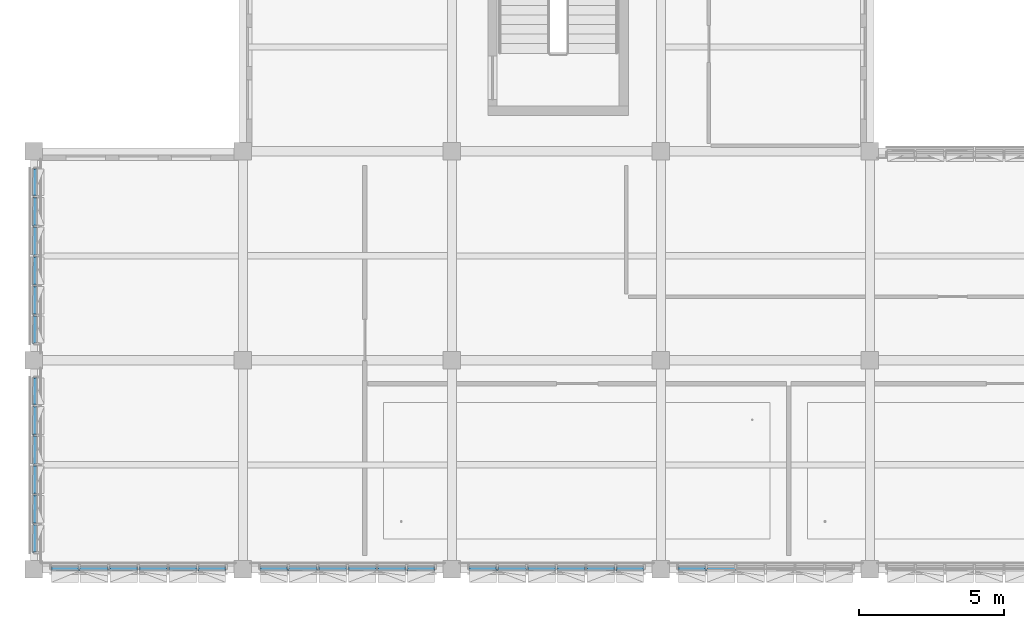
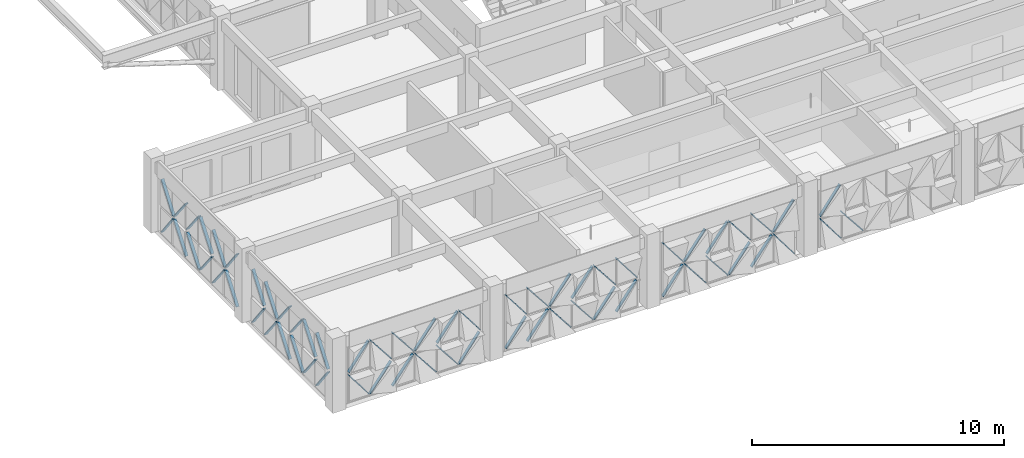
# One storey, part 56 of 99: 63 discrete accessories.
"""IFC4 building model written with IfcOpenShell, lengths in metres."""

from ifc_helpers import new_model, si_unit, direction, frame, origin, origin_2d, place, context, subcontext, project, spatial, rectangle, extrude, material, type_object, element, save


model = new_model("IFC4")

# Units and contexts
model_context = context("Model", 3, precision=1e-05, world=origin(), true_north=direction((0.0, 1.0)))
body_context = subcontext(model_context, "Body", "Model", "MODEL_VIEW")
ifc_project = project(units=[si_unit("LENGTHUNIT", "METRE"), si_unit("AREAUNIT", "SQUARE_METRE"), si_unit("VOLUMEUNIT", "CUBIC_METRE"), si_unit("PLANEANGLEUNIT", "RADIAN"), si_unit("MASSUNIT", "GRAM", prefix="KILO")], contexts=[model_context])

# Site, building, storey
site_placement = place(None, origin())
site = spatial("IfcSite", under=ifc_project, at=site_placement, CompositionType="ELEMENT")
building_placement = place(site_placement, origin())
building = spatial("IfcBuilding", under=site, at=building_placement, Name="Alvorim Cloister Faculty of Sciences", CompositionType="ELEMENT")
storey_placement = place(building_placement, frame((0.0, 0.0, 12.14990234375)))
storey = spatial("IfcBuildingStorey", under=building, at=storey_placement, Name="L03", CompositionType="ELEMENT", Elevation=12.14990234375)

# Discrete accessories
ifc_material = material(Name="Aluminium Alloy 6063-T6", Category="aluminium")
discrete_accessory_type = type_object("IfcDiscreteAccessoryType", Name="ACC-DIAG-BAR", PredefinedType="BRACKET", material=ifc_material)
discrete_accessory_1_placement = place(storey_placement, frame((22.205078125, 0.0224609375, 1.35498046875), z_axis=(0.604688699088, 0.006562264866, -0.796434877359), x_axis=(-0.010851663811, 0.999941118963, 0.0)))
element("IfcDiscreteAccessory", 1, at=discrete_accessory_1_placement, inside=storey, type_object=discrete_accessory_type, Name="Diagonal Cassette Glazing Bracket ACC-01623", PredefinedType="BRACKET", context=body_context, shape_type="SweptSolid", body=[
    extrude(rectangle(XDim=0.139892578125, YDim=0.044921875, at=origin_2d()), origin(), (0.0, 0.0, 1.0), 1.525390625),
])
discrete_accessory_2_placement = place(storey_placement, frame((22.205078125, 0.0224609375, 1.4951171875), z_axis=(0.604611624251, 0.006561428426, 0.796493397008), x_axis=(-0.010851663811, 0.999941118963, 0.0)))
element("IfcDiscreteAccessory", 2, at=discrete_accessory_2_placement, inside=storey, type_object=discrete_accessory_type, Name="Diagonal Cassette Glazing Bracket ACC-01624", PredefinedType="BRACKET", context=body_context, shape_type="SweptSolid", body=[
    extrude(rectangle(XDim=0.139892578125, YDim=0.044921875, at=origin_2d()), origin(), (0.0, 0.0, 1.0), 1.525634765625),
])
discrete_accessory_3_placement = place(storey_placement, frame((23.1923828125, 0.0224609375, 1.35498046875), z_axis=(0.618031836495, 0.00647732753, -0.786126385072), x_axis=(-0.010479997039, 0.999945083323, 0.0)))
element("IfcDiscreteAccessory", 3, at=discrete_accessory_3_placement, inside=storey, type_object=discrete_accessory_type, Name="Diagonal Cassette Glazing Bracket ACC-01625", PredefinedType="BRACKET", context=body_context, shape_type="SweptSolid", body=[
    extrude(rectangle(XDim=0.139892578125, YDim=0.044921875, at=origin_2d()), origin(), (0.0, 0.0, 1.0), 1.54541015625),
])
discrete_accessory_4_placement = place(storey_placement, frame((15.0048828125, 0.0224609375, 0.14013671875), z_axis=(0.604790215644, 0.006561629754, 0.796357796519), x_axis=(-0.010848792579, 0.999941150118, 0.0)))
element("IfcDiscreteAccessory", 4, at=discrete_accessory_4_placement, inside=storey, type_object=discrete_accessory_type, Name="Diagonal Cassette Glazing Bracket ACC-01636", PredefinedType="BRACKET", context=body_context, shape_type="SweptSolid", body=[
    extrude(rectangle(XDim=0.139892578125, YDim=0.044921875, at=origin_2d()), origin(), (0.0, 0.0, 1.0), 1.525390625),
])
discrete_accessory_5_placement = place(storey_placement, frame((15.0048828125, 0.0224609375, 2.710205078125), z_axis=(0.604713142785, 0.006560793558, -0.796416330151), x_axis=(-0.010848792579, 0.999941150118, 0.0)))
element("IfcDiscreteAccessory", 5, at=discrete_accessory_5_placement, inside=storey, type_object=discrete_accessory_type, Name="Diagonal Cassette Glazing Bracket ACC-01637", PredefinedType="BRACKET", context=body_context, shape_type="SweptSolid", body=[
    extrude(rectangle(XDim=0.139892578125, YDim=0.044921875, at=origin_2d()), origin(), (0.0, 0.0, 1.0), 1.525634765625),
])
discrete_accessory_6_placement = place(storey_placement, frame((15.992431640625, 0.0224609375, 1.35498046875), z_axis=(0.618031836495, 0.00647732753, -0.786126385072), x_axis=(-0.010479997039, 0.999945083323, 0.0)))
element("IfcDiscreteAccessory", 6, at=discrete_accessory_6_placement, inside=storey, type_object=discrete_accessory_type, Name="Diagonal Cassette Glazing Bracket ACC-01638", PredefinedType="BRACKET", context=body_context, shape_type="SweptSolid", body=[
    extrude(rectangle(XDim=0.139892578125, YDim=0.044921875, at=origin_2d()), origin(), (0.0, 0.0, 1.0), 1.54541015625),
])
discrete_accessory_7_placement = place(storey_placement, frame((15.992431640625, 0.0224609375, 1.4951171875), z_axis=(0.617955086572, 0.006476523147, 0.786186724404), x_axis=(-0.010479997039, 0.999945083323, 0.0)))
element("IfcDiscreteAccessory", 7, at=discrete_accessory_7_placement, inside=storey, type_object=discrete_accessory_type, Name="Diagonal Cassette Glazing Bracket ACC-01639", PredefinedType="BRACKET", context=body_context, shape_type="SweptSolid", body=[
    extrude(rectangle(XDim=0.139892578125, YDim=0.044921875, at=origin_2d()), origin(), (0.0, 0.0, 1.0), 1.545654296875),
])
discrete_accessory_8_placement = place(storey_placement, frame((17.012451171875, 0.0224609375, 1.35498046875), z_axis=(0.618031836495, 0.00647732753, -0.786126385072), x_axis=(-0.010479997039, 0.999945083323, 0.0)))
element("IfcDiscreteAccessory", 8, at=discrete_accessory_8_placement, inside=storey, type_object=discrete_accessory_type, Name="Diagonal Cassette Glazing Bracket ACC-01640", PredefinedType="BRACKET", context=body_context, shape_type="SweptSolid", body=[
    extrude(rectangle(XDim=0.139892578125, YDim=0.044921875, at=origin_2d()), origin(), (0.0, 0.0, 1.0), 1.54541015625),
])
discrete_accessory_9_placement = place(storey_placement, frame((17.012451171875, 0.0224609375, 1.4951171875), z_axis=(0.617955086572, 0.006476523147, 0.786186724404), x_axis=(-0.010479997039, 0.999945083323, 0.0)))
element("IfcDiscreteAccessory", 9, at=discrete_accessory_9_placement, inside=storey, type_object=discrete_accessory_type, Name="Diagonal Cassette Glazing Bracket ACC-01641", PredefinedType="BRACKET", context=body_context, shape_type="SweptSolid", body=[
    extrude(rectangle(XDim=0.139892578125, YDim=0.044921875, at=origin_2d()), origin(), (0.0, 0.0, 1.0), 1.545654296875),
])
discrete_accessory_10_placement = place(storey_placement, frame((18.032470703125, 0.0224609375, 0.14013671875), z_axis=(0.618031836495, 0.00647732753, 0.786126385072), x_axis=(-0.010479997039, 0.999945083323, 0.0)))
element("IfcDiscreteAccessory", 10, at=discrete_accessory_10_placement, inside=storey, type_object=discrete_accessory_type, Name="Diagonal Cassette Glazing Bracket ACC-01642", PredefinedType="BRACKET", context=body_context, shape_type="SweptSolid", body=[
    extrude(rectangle(XDim=0.139892578125, YDim=0.044921875, at=origin_2d()), origin(), (0.0, 0.0, 1.0), 1.54541015625),
])
discrete_accessory_11_placement = place(storey_placement, frame((18.032470703125, 0.0224609375, 2.710205078125), z_axis=(0.617955086572, 0.006476523147, -0.786186724404), x_axis=(-0.010479997039, 0.999945083323, 0.0)))
element("IfcDiscreteAccessory", 11, at=discrete_accessory_11_placement, inside=storey, type_object=discrete_accessory_type, Name="Diagonal Cassette Glazing Bracket ACC-01643", PredefinedType="BRACKET", context=body_context, shape_type="SweptSolid", body=[
    extrude(rectangle(XDim=0.139892578125, YDim=0.044921875, at=origin_2d()), origin(), (0.0, 0.0, 1.0), 1.545654296875),
])
discrete_accessory_12_placement = place(storey_placement, frame((19.052490234375, 0.0224609375, 0.14013671875), z_axis=(0.618031836495, 0.00647732753, 0.786126385072), x_axis=(-0.010479997039, 0.999945083323, 0.0)))
element("IfcDiscreteAccessory", 12, at=discrete_accessory_12_placement, inside=storey, type_object=discrete_accessory_type, Name="Diagonal Cassette Glazing Bracket ACC-01644", PredefinedType="BRACKET", context=body_context, shape_type="SweptSolid", body=[
    extrude(rectangle(XDim=0.139892578125, YDim=0.044921875, at=origin_2d()), origin(), (0.0, 0.0, 1.0), 1.54541015625),
])
discrete_accessory_13_placement = place(storey_placement, frame((19.052490234375, 0.0224609375, 2.710205078125), z_axis=(0.617955086572, 0.006476523147, -0.786186724404), x_axis=(-0.010479997039, 0.999945083323, 0.0)))
element("IfcDiscreteAccessory", 13, at=discrete_accessory_13_placement, inside=storey, type_object=discrete_accessory_type, Name="Diagonal Cassette Glazing Bracket ACC-01645", PredefinedType="BRACKET", context=body_context, shape_type="SweptSolid", body=[
    extrude(rectangle(XDim=0.139892578125, YDim=0.044921875, at=origin_2d()), origin(), (0.0, 0.0, 1.0), 1.545654296875),
])
discrete_accessory_14_placement = place(storey_placement, frame((20.072509765625, 0.0224609375, 1.35498046875), z_axis=(0.604790215644, 0.006561629754, -0.796357796519), x_axis=(-0.010848792579, 0.999941150118, 0.0)))
element("IfcDiscreteAccessory", 14, at=discrete_accessory_14_placement, inside=storey, type_object=discrete_accessory_type, Name="Diagonal Cassette Glazing Bracket ACC-01646", PredefinedType="BRACKET", context=body_context, shape_type="SweptSolid", body=[
    extrude(rectangle(XDim=0.139892578125, YDim=0.044921875, at=origin_2d()), origin(), (0.0, 0.0, 1.0), 1.525390625),
])
discrete_accessory_15_placement = place(storey_placement, frame((20.072509765625, 0.0224609375, 1.4951171875), z_axis=(0.604713142785, 0.006560793558, 0.796416330151), x_axis=(-0.010848792579, 0.999941150118, 0.0)))
element("IfcDiscreteAccessory", 15, at=discrete_accessory_15_placement, inside=storey, type_object=discrete_accessory_type, Name="Diagonal Cassette Glazing Bracket ACC-01647", PredefinedType="BRACKET", context=body_context, shape_type="SweptSolid", body=[
    extrude(rectangle(XDim=0.139892578125, YDim=0.044921875, at=origin_2d()), origin(), (0.0, 0.0, 1.0), 1.525634765625),
])
discrete_accessory_16_placement = place(storey_placement, frame((7.804931640625, 0.0224609375, 0.14013671875), z_axis=(0.604790215644, 0.006561629754, 0.796357796519), x_axis=(-0.010848792579, 0.999941150118, 0.0)))
element("IfcDiscreteAccessory", 16, at=discrete_accessory_16_placement, inside=storey, type_object=discrete_accessory_type, Name="Diagonal Cassette Glazing Bracket ACC-01649", PredefinedType="BRACKET", context=body_context, shape_type="SweptSolid", body=[
    extrude(rectangle(XDim=0.139892578125, YDim=0.044921875, at=origin_2d()), origin(), (0.0, 0.0, 1.0), 1.525390625),
])
discrete_accessory_17_placement = place(storey_placement, frame((7.804931640625, 0.0224609375, 2.710205078125), z_axis=(0.604713142785, 0.006560793558, -0.796416330151), x_axis=(-0.010848792579, 0.999941150118, 0.0)))
element("IfcDiscreteAccessory", 17, at=discrete_accessory_17_placement, inside=storey, type_object=discrete_accessory_type, Name="Diagonal Cassette Glazing Bracket ACC-01650", PredefinedType="BRACKET", context=body_context, shape_type="SweptSolid", body=[
    extrude(rectangle(XDim=0.139892578125, YDim=0.044921875, at=origin_2d()), origin(), (0.0, 0.0, 1.0), 1.525634765625),
])
discrete_accessory_18_placement = place(storey_placement, frame((8.79248046875, 0.0224609375, 0.14013671875), z_axis=(0.618031836495, 0.00647732753, 0.786126385072), x_axis=(-0.010479997039, 0.999945083323, 0.0)))
element("IfcDiscreteAccessory", 18, at=discrete_accessory_18_placement, inside=storey, type_object=discrete_accessory_type, Name="Diagonal Cassette Glazing Bracket ACC-01651", PredefinedType="BRACKET", context=body_context, shape_type="SweptSolid", body=[
    extrude(rectangle(XDim=0.139892578125, YDim=0.044921875, at=origin_2d()), origin(), (0.0, 0.0, 1.0), 1.54541015625),
])
discrete_accessory_19_placement = place(storey_placement, frame((8.79248046875, 0.0224609375, 2.710205078125), z_axis=(0.617955086572, 0.006476523147, -0.786186724404), x_axis=(-0.010479997039, 0.999945083323, 0.0)))
element("IfcDiscreteAccessory", 19, at=discrete_accessory_19_placement, inside=storey, type_object=discrete_accessory_type, Name="Diagonal Cassette Glazing Bracket ACC-01652", PredefinedType="BRACKET", context=body_context, shape_type="SweptSolid", body=[
    extrude(rectangle(XDim=0.139892578125, YDim=0.044921875, at=origin_2d()), origin(), (0.0, 0.0, 1.0), 1.545654296875),
])
discrete_accessory_20_placement = place(storey_placement, frame((9.8125, 0.0224609375, 1.35498046875), z_axis=(0.618031836495, 0.00647732753, -0.786126385072), x_axis=(-0.010479997039, 0.999945083323, 0.0)))
element("IfcDiscreteAccessory", 20, at=discrete_accessory_20_placement, inside=storey, type_object=discrete_accessory_type, Name="Diagonal Cassette Glazing Bracket ACC-01653", PredefinedType="BRACKET", context=body_context, shape_type="SweptSolid", body=[
    extrude(rectangle(XDim=0.139892578125, YDim=0.044921875, at=origin_2d()), origin(), (0.0, 0.0, 1.0), 1.54541015625),
])
discrete_accessory_21_placement = place(storey_placement, frame((9.8125, 0.0224609375, 1.4951171875), z_axis=(0.617955086572, 0.006476523147, 0.786186724404), x_axis=(-0.010479997039, 0.999945083323, 0.0)))
element("IfcDiscreteAccessory", 21, at=discrete_accessory_21_placement, inside=storey, type_object=discrete_accessory_type, Name="Diagonal Cassette Glazing Bracket ACC-01654", PredefinedType="BRACKET", context=body_context, shape_type="SweptSolid", body=[
    extrude(rectangle(XDim=0.139892578125, YDim=0.044921875, at=origin_2d()), origin(), (0.0, 0.0, 1.0), 1.545654296875),
])
discrete_accessory_22_placement = place(storey_placement, frame((10.83251953125, 0.0224609375, 1.35498046875), z_axis=(0.618031836495, 0.00647732753, -0.786126385072), x_axis=(-0.010479997039, 0.999945083323, 0.0)))
element("IfcDiscreteAccessory", 22, at=discrete_accessory_22_placement, inside=storey, type_object=discrete_accessory_type, Name="Diagonal Cassette Glazing Bracket ACC-01655", PredefinedType="BRACKET", context=body_context, shape_type="SweptSolid", body=[
    extrude(rectangle(XDim=0.139892578125, YDim=0.044921875, at=origin_2d()), origin(), (0.0, 0.0, 1.0), 1.54541015625),
])
discrete_accessory_23_placement = place(storey_placement, frame((10.83251953125, 0.0224609375, 1.4951171875), z_axis=(0.617955086572, 0.006476523147, 0.786186724404), x_axis=(-0.010479997039, 0.999945083323, 0.0)))
element("IfcDiscreteAccessory", 23, at=discrete_accessory_23_placement, inside=storey, type_object=discrete_accessory_type, Name="Diagonal Cassette Glazing Bracket ACC-01656", PredefinedType="BRACKET", context=body_context, shape_type="SweptSolid", body=[
    extrude(rectangle(XDim=0.139892578125, YDim=0.044921875, at=origin_2d()), origin(), (0.0, 0.0, 1.0), 1.545654296875),
])
discrete_accessory_24_placement = place(storey_placement, frame((11.8525390625, 0.0224609375, 0.14013671875), z_axis=(0.618031836495, 0.00647732753, 0.786126385072), x_axis=(-0.010479997039, 0.999945083323, 0.0)))
element("IfcDiscreteAccessory", 24, at=discrete_accessory_24_placement, inside=storey, type_object=discrete_accessory_type, Name="Diagonal Cassette Glazing Bracket ACC-01657", PredefinedType="BRACKET", context=body_context, shape_type="SweptSolid", body=[
    extrude(rectangle(XDim=0.139892578125, YDim=0.044921875, at=origin_2d()), origin(), (0.0, 0.0, 1.0), 1.54541015625),
])
discrete_accessory_25_placement = place(storey_placement, frame((11.8525390625, 0.0224609375, 2.710205078125), z_axis=(0.617955086572, 0.006476523147, -0.786186724404), x_axis=(-0.010479997039, 0.999945083323, 0.0)))
element("IfcDiscreteAccessory", 25, at=discrete_accessory_25_placement, inside=storey, type_object=discrete_accessory_type, Name="Diagonal Cassette Glazing Bracket ACC-01658", PredefinedType="BRACKET", context=body_context, shape_type="SweptSolid", body=[
    extrude(rectangle(XDim=0.139892578125, YDim=0.044921875, at=origin_2d()), origin(), (0.0, 0.0, 1.0), 1.545654296875),
])
discrete_accessory_26_placement = place(storey_placement, frame((12.87255859375, 0.0224609375, 0.14013671875), z_axis=(0.604688699088, 0.006562264866, 0.796434877359), x_axis=(-0.010851663811, 0.999941118963, 0.0)))
element("IfcDiscreteAccessory", 26, at=discrete_accessory_26_placement, inside=storey, type_object=discrete_accessory_type, Name="Diagonal Cassette Glazing Bracket ACC-01659", PredefinedType="BRACKET", context=body_context, shape_type="SweptSolid", body=[
    extrude(rectangle(XDim=0.139892578125, YDim=0.044921875, at=origin_2d()), origin(), (0.0, 0.0, 1.0), 1.525390625),
])
discrete_accessory_27_placement = place(storey_placement, frame((12.87255859375, 0.0224609375, 2.710205078125), z_axis=(0.604611624251, 0.006561428426, -0.796493397008), x_axis=(-0.010851663811, 0.999941118963, 0.0)))
element("IfcDiscreteAccessory", 27, at=discrete_accessory_27_placement, inside=storey, type_object=discrete_accessory_type, Name="Diagonal Cassette Glazing Bracket ACC-01660", PredefinedType="BRACKET", context=body_context, shape_type="SweptSolid", body=[
    extrude(rectangle(XDim=0.139892578125, YDim=0.044921875, at=origin_2d()), origin(), (0.0, 0.0, 1.0), 1.525634765625),
])
discrete_accessory_28_placement = place(storey_placement, frame((0.60498046875, 0.0224609375, 1.35498046875), z_axis=(0.604790215644, 0.006561629754, -0.796357796519), x_axis=(-0.010848792579, 0.999941150118, 0.0)))
element("IfcDiscreteAccessory", 28, at=discrete_accessory_28_placement, inside=storey, type_object=discrete_accessory_type, Name="Diagonal Cassette Glazing Bracket ACC-01662", PredefinedType="BRACKET", context=body_context, shape_type="SweptSolid", body=[
    extrude(rectangle(XDim=0.139892578125, YDim=0.044921875, at=origin_2d()), origin(), (0.0, 0.0, 1.0), 1.525390625),
])
discrete_accessory_29_placement = place(storey_placement, frame((0.60498046875, 0.0224609375, 1.4951171875), z_axis=(0.604713142785, 0.006560793558, 0.796416330151), x_axis=(-0.010848792579, 0.999941150118, 0.0)))
element("IfcDiscreteAccessory", 29, at=discrete_accessory_29_placement, inside=storey, type_object=discrete_accessory_type, Name="Diagonal Cassette Glazing Bracket ACC-01663", PredefinedType="BRACKET", context=body_context, shape_type="SweptSolid", body=[
    extrude(rectangle(XDim=0.139892578125, YDim=0.044921875, at=origin_2d()), origin(), (0.0, 0.0, 1.0), 1.525634765625),
])
discrete_accessory_30_placement = place(storey_placement, frame((1.592529296875, 0.0224609375, 0.14013671875), z_axis=(0.618031836495, 0.00647732753, 0.786126385072), x_axis=(-0.010479997039, 0.999945083323, 0.0)))
element("IfcDiscreteAccessory", 30, at=discrete_accessory_30_placement, inside=storey, type_object=discrete_accessory_type, Name="Diagonal Cassette Glazing Bracket ACC-01664", PredefinedType="BRACKET", context=body_context, shape_type="SweptSolid", body=[
    extrude(rectangle(XDim=0.139892578125, YDim=0.044921875, at=origin_2d()), origin(), (0.0, 0.0, 1.0), 1.54541015625),
])
discrete_accessory_31_placement = place(storey_placement, frame((1.592529296875, 0.0224609375, 2.710205078125), z_axis=(0.617955086572, 0.006476523147, -0.786186724404), x_axis=(-0.010479997039, 0.999945083323, 0.0)))
element("IfcDiscreteAccessory", 31, at=discrete_accessory_31_placement, inside=storey, type_object=discrete_accessory_type, Name="Diagonal Cassette Glazing Bracket ACC-01665", PredefinedType="BRACKET", context=body_context, shape_type="SweptSolid", body=[
    extrude(rectangle(XDim=0.139892578125, YDim=0.044921875, at=origin_2d()), origin(), (0.0, 0.0, 1.0), 1.545654296875),
])
discrete_accessory_32_placement = place(storey_placement, frame((2.612548828125, 0.0224609375, 0.14013671875), z_axis=(0.61793418254, 0.006477959981, 0.786203143012), x_axis=(-0.010482676365, 0.999945055239, 0.0)))
element("IfcDiscreteAccessory", 32, at=discrete_accessory_32_placement, inside=storey, type_object=discrete_accessory_type, Name="Diagonal Cassette Glazing Bracket ACC-01666", PredefinedType="BRACKET", context=body_context, shape_type="SweptSolid", body=[
    extrude(rectangle(XDim=0.139892578125, YDim=0.044921875, at=origin_2d()), origin(), (0.0, 0.0, 1.0), 1.545166015625),
])
discrete_accessory_33_placement = place(storey_placement, frame((2.612548828125, 0.0224609375, 2.710205078125), z_axis=(0.61785742976, 0.006477155362, -0.786263469168), x_axis=(-0.010482676365, 0.999945055239, 0.0)))
element("IfcDiscreteAccessory", 33, at=discrete_accessory_33_placement, inside=storey, type_object=discrete_accessory_type, Name="Diagonal Cassette Glazing Bracket ACC-01667", PredefinedType="BRACKET", context=body_context, shape_type="SweptSolid", body=[
    extrude(rectangle(XDim=0.139892578125, YDim=0.044921875, at=origin_2d()), origin(), (0.0, 0.0, 1.0), 1.54541015625),
])
discrete_accessory_34_placement = place(storey_placement, frame((3.632568359375, 0.0224609375, 1.35498046875), z_axis=(0.61793418254, 0.006477959981, -0.786203143012), x_axis=(-0.010482676365, 0.999945055239, 0.0)))
element("IfcDiscreteAccessory", 34, at=discrete_accessory_34_placement, inside=storey, type_object=discrete_accessory_type, Name="Diagonal Cassette Glazing Bracket ACC-01668", PredefinedType="BRACKET", context=body_context, shape_type="SweptSolid", body=[
    extrude(rectangle(XDim=0.139892578125, YDim=0.044921875, at=origin_2d()), origin(), (0.0, 0.0, 1.0), 1.545166015625),
])
discrete_accessory_35_placement = place(storey_placement, frame((3.632568359375, 0.0224609375, 1.4951171875), z_axis=(0.61785742976, 0.006477155362, 0.786263469168), x_axis=(-0.010482676365, 0.999945055239, 0.0)))
element("IfcDiscreteAccessory", 35, at=discrete_accessory_35_placement, inside=storey, type_object=discrete_accessory_type, Name="Diagonal Cassette Glazing Bracket ACC-01669", PredefinedType="BRACKET", context=body_context, shape_type="SweptSolid", body=[
    extrude(rectangle(XDim=0.139892578125, YDim=0.044921875, at=origin_2d()), origin(), (0.0, 0.0, 1.0), 1.54541015625),
])
discrete_accessory_36_placement = place(storey_placement, frame((4.652587890625, 0.0224609375, 1.35498046875), z_axis=(0.61793418254, 0.006477959981, -0.786203143012), x_axis=(-0.010482676365, 0.999945055239, 0.0)))
element("IfcDiscreteAccessory", 36, at=discrete_accessory_36_placement, inside=storey, type_object=discrete_accessory_type, Name="Diagonal Cassette Glazing Bracket ACC-01670", PredefinedType="BRACKET", context=body_context, shape_type="SweptSolid", body=[
    extrude(rectangle(XDim=0.139892578125, YDim=0.044921875, at=origin_2d()), origin(), (0.0, 0.0, 1.0), 1.545166015625),
])
discrete_accessory_37_placement = place(storey_placement, frame((4.652587890625, 0.0224609375, 1.4951171875), z_axis=(0.61785742976, 0.006477155362, 0.786263469168), x_axis=(-0.010482676365, 0.999945055239, 0.0)))
element("IfcDiscreteAccessory", 37, at=discrete_accessory_37_placement, inside=storey, type_object=discrete_accessory_type, Name="Diagonal Cassette Glazing Bracket ACC-01671", PredefinedType="BRACKET", context=body_context, shape_type="SweptSolid", body=[
    extrude(rectangle(XDim=0.139892578125, YDim=0.044921875, at=origin_2d()), origin(), (0.0, 0.0, 1.0), 1.54541015625),
])
discrete_accessory_38_placement = place(storey_placement, frame((5.672607421875, 0.0224609375, 0.14013671875), z_axis=(0.604688699088, 0.006562264866, 0.796434877359), x_axis=(-0.010851663811, 0.999941118963, 0.0)))
element("IfcDiscreteAccessory", 38, at=discrete_accessory_38_placement, inside=storey, type_object=discrete_accessory_type, Name="Diagonal Cassette Glazing Bracket ACC-01672", PredefinedType="BRACKET", context=body_context, shape_type="SweptSolid", body=[
    extrude(rectangle(XDim=0.139892578125, YDim=0.044921875, at=origin_2d()), origin(), (0.0, 0.0, 1.0), 1.525390625),
])
discrete_accessory_39_placement = place(storey_placement, frame((5.672607421875, 0.0224609375, 2.710205078125), z_axis=(0.604611624251, 0.006561428426, -0.796493397008), x_axis=(-0.010851663811, 0.999941118963, 0.0)))
element("IfcDiscreteAccessory", 39, at=discrete_accessory_39_placement, inside=storey, type_object=discrete_accessory_type, Name="Diagonal Cassette Glazing Bracket ACC-01673", PredefinedType="BRACKET", context=body_context, shape_type="SweptSolid", body=[
    extrude(rectangle(XDim=0.139892578125, YDim=0.044921875, at=origin_2d()), origin(), (0.0, 0.0, 1.0), 1.525634765625),
])
discrete_accessory_40_placement = place(storey_placement, frame((0.0224609375, 0.60498046875, 1.35498046875), z_axis=(0.006561629754, 0.604790215644, -0.796357796519), x_axis=(-0.999941150118, 0.010848792579, 0.0)))
element("IfcDiscreteAccessory", 40, at=discrete_accessory_40_placement, inside=storey, type_object=discrete_accessory_type, Name="Diagonal Cassette Glazing Bracket ACC-01675", PredefinedType="BRACKET", context=body_context, shape_type="SweptSolid", body=[
    extrude(rectangle(XDim=0.139892578125, YDim=0.044921875, at=origin_2d()), origin(), (0.0, 0.0, 1.0), 1.525390625),
])
discrete_accessory_41_placement = place(storey_placement, frame((0.0224609375, 0.60498046875, 1.4951171875), z_axis=(0.006560793558, 0.604713142785, 0.796416330151), x_axis=(-0.999941150118, 0.010848792579, 0.0)))
element("IfcDiscreteAccessory", 41, at=discrete_accessory_41_placement, inside=storey, type_object=discrete_accessory_type, Name="Diagonal Cassette Glazing Bracket ACC-01676", PredefinedType="BRACKET", context=body_context, shape_type="SweptSolid", body=[
    extrude(rectangle(XDim=0.139892578125, YDim=0.044921875, at=origin_2d()), origin(), (0.0, 0.0, 1.0), 1.525634765625),
])
discrete_accessory_42_placement = place(storey_placement, frame((0.0224609375, 1.592529296875, 1.35498046875), z_axis=(0.00647732753, 0.618031836495, -0.786126385072), x_axis=(-0.999945083323, 0.010479997039, 0.0)))
element("IfcDiscreteAccessory", 42, at=discrete_accessory_42_placement, inside=storey, type_object=discrete_accessory_type, Name="Diagonal Cassette Glazing Bracket ACC-01677", PredefinedType="BRACKET", context=body_context, shape_type="SweptSolid", body=[
    extrude(rectangle(XDim=0.139892578125, YDim=0.044921875, at=origin_2d()), origin(), (0.0, 0.0, 1.0), 1.54541015625),
])
discrete_accessory_43_placement = place(storey_placement, frame((0.0224609375, 1.592529296875, 1.4951171875), z_axis=(0.006476523147, 0.617955086572, 0.786186724404), x_axis=(-0.999945083323, 0.010479997039, 0.0)))
element("IfcDiscreteAccessory", 43, at=discrete_accessory_43_placement, inside=storey, type_object=discrete_accessory_type, Name="Diagonal Cassette Glazing Bracket ACC-01678", PredefinedType="BRACKET", context=body_context, shape_type="SweptSolid", body=[
    extrude(rectangle(XDim=0.139892578125, YDim=0.044921875, at=origin_2d()), origin(), (0.0, 0.0, 1.0), 1.545654296875),
])
discrete_accessory_44_placement = place(storey_placement, frame((0.0224609375, 2.612548828125, 0.14013671875), z_axis=(0.006477959981, 0.61793418254, 0.786203143012), x_axis=(-0.999945055239, 0.010482676365, 0.0)))
element("IfcDiscreteAccessory", 44, at=discrete_accessory_44_placement, inside=storey, type_object=discrete_accessory_type, Name="Diagonal Cassette Glazing Bracket ACC-01679", PredefinedType="BRACKET", context=body_context, shape_type="SweptSolid", body=[
    extrude(rectangle(XDim=0.139892578125, YDim=0.044921875, at=origin_2d()), origin(), (0.0, 0.0, 1.0), 1.545166015625),
])
discrete_accessory_45_placement = place(storey_placement, frame((0.0224609375, 2.612548828125, 2.710205078125), z_axis=(0.006477155362, 0.61785742976, -0.786263469168), x_axis=(-0.999945055239, 0.010482676365, 0.0)))
element("IfcDiscreteAccessory", 45, at=discrete_accessory_45_placement, inside=storey, type_object=discrete_accessory_type, Name="Diagonal Cassette Glazing Bracket ACC-01680", PredefinedType="BRACKET", context=body_context, shape_type="SweptSolid", body=[
    extrude(rectangle(XDim=0.139892578125, YDim=0.044921875, at=origin_2d()), origin(), (0.0, 0.0, 1.0), 1.54541015625),
])
discrete_accessory_46_placement = place(storey_placement, frame((0.0224609375, 3.632568359375, 0.14013671875), z_axis=(0.006477959981, 0.61793418254, 0.786203143012), x_axis=(-0.999945055239, 0.010482676365, 0.0)))
element("IfcDiscreteAccessory", 46, at=discrete_accessory_46_placement, inside=storey, type_object=discrete_accessory_type, Name="Diagonal Cassette Glazing Bracket ACC-01681", PredefinedType="BRACKET", context=body_context, shape_type="SweptSolid", body=[
    extrude(rectangle(XDim=0.139892578125, YDim=0.044921875, at=origin_2d()), origin(), (0.0, 0.0, 1.0), 1.545166015625),
])
discrete_accessory_47_placement = place(storey_placement, frame((0.0224609375, 3.632568359375, 2.710205078125), z_axis=(0.006477155362, 0.61785742976, -0.786263469168), x_axis=(-0.999945055239, 0.010482676365, 0.0)))
element("IfcDiscreteAccessory", 47, at=discrete_accessory_47_placement, inside=storey, type_object=discrete_accessory_type, Name="Diagonal Cassette Glazing Bracket ACC-01682", PredefinedType="BRACKET", context=body_context, shape_type="SweptSolid", body=[
    extrude(rectangle(XDim=0.139892578125, YDim=0.044921875, at=origin_2d()), origin(), (0.0, 0.0, 1.0), 1.54541015625),
])
discrete_accessory_48_placement = place(storey_placement, frame((0.0224609375, 4.652587890625, 1.35498046875), z_axis=(0.006477959981, 0.61793418254, -0.786203143012), x_axis=(-0.999945055239, 0.010482676365, 0.0)))
element("IfcDiscreteAccessory", 48, at=discrete_accessory_48_placement, inside=storey, type_object=discrete_accessory_type, Name="Diagonal Cassette Glazing Bracket ACC-01683", PredefinedType="BRACKET", context=body_context, shape_type="SweptSolid", body=[
    extrude(rectangle(XDim=0.139892578125, YDim=0.044921875, at=origin_2d()), origin(), (0.0, 0.0, 1.0), 1.545166015625),
])
discrete_accessory_49_placement = place(storey_placement, frame((0.0224609375, 4.652587890625, 1.4951171875), z_axis=(0.006477155362, 0.61785742976, 0.786263469168), x_axis=(-0.999945055239, 0.010482676365, 0.0)))
element("IfcDiscreteAccessory", 49, at=discrete_accessory_49_placement, inside=storey, type_object=discrete_accessory_type, Name="Diagonal Cassette Glazing Bracket ACC-01684", PredefinedType="BRACKET", context=body_context, shape_type="SweptSolid", body=[
    extrude(rectangle(XDim=0.139892578125, YDim=0.044921875, at=origin_2d()), origin(), (0.0, 0.0, 1.0), 1.54541015625),
])
discrete_accessory_50_placement = place(storey_placement, frame((0.0224609375, 5.672607421875, 1.35498046875), z_axis=(0.006562264866, 0.604688699088, -0.796434877359), x_axis=(-0.999941118963, 0.010851663811, 0.0)))
element("IfcDiscreteAccessory", 50, at=discrete_accessory_50_placement, inside=storey, type_object=discrete_accessory_type, Name="Diagonal Cassette Glazing Bracket ACC-01685", PredefinedType="BRACKET", context=body_context, shape_type="SweptSolid", body=[
    extrude(rectangle(XDim=0.139892578125, YDim=0.044921875, at=origin_2d()), origin(), (0.0, 0.0, 1.0), 1.525390625),
])
discrete_accessory_51_placement = place(storey_placement, frame((0.0224609375, 5.672607421875, 1.4951171875), z_axis=(0.006561428426, 0.604611624251, 0.796493397008), x_axis=(-0.999941118963, 0.010851663811, 0.0)))
element("IfcDiscreteAccessory", 51, at=discrete_accessory_51_placement, inside=storey, type_object=discrete_accessory_type, Name="Diagonal Cassette Glazing Bracket ACC-01686", PredefinedType="BRACKET", context=body_context, shape_type="SweptSolid", body=[
    extrude(rectangle(XDim=0.139892578125, YDim=0.044921875, at=origin_2d()), origin(), (0.0, 0.0, 1.0), 1.525634765625),
])
discrete_accessory_52_placement = place(storey_placement, frame((0.0224609375, 7.804931640625, 0.14013671875), z_axis=(0.006561629754, 0.604790215644, 0.796357796519), x_axis=(-0.999941150118, 0.010848792579, 0.0)))
element("IfcDiscreteAccessory", 52, at=discrete_accessory_52_placement, inside=storey, type_object=discrete_accessory_type, Name="Diagonal Cassette Glazing Bracket ACC-01688", PredefinedType="BRACKET", context=body_context, shape_type="SweptSolid", body=[
    extrude(rectangle(XDim=0.139892578125, YDim=0.044921875, at=origin_2d()), origin(), (0.0, 0.0, 1.0), 1.525390625),
])
discrete_accessory_53_placement = place(storey_placement, frame((0.0224609375, 7.804931640625, 2.710205078125), z_axis=(0.006560793558, 0.604713142785, -0.796416330151), x_axis=(-0.999941150118, 0.010848792579, 0.0)))
element("IfcDiscreteAccessory", 53, at=discrete_accessory_53_placement, inside=storey, type_object=discrete_accessory_type, Name="Diagonal Cassette Glazing Bracket ACC-01689", PredefinedType="BRACKET", context=body_context, shape_type="SweptSolid", body=[
    extrude(rectangle(XDim=0.139892578125, YDim=0.044921875, at=origin_2d()), origin(), (0.0, 0.0, 1.0), 1.525634765625),
])
discrete_accessory_54_placement = place(storey_placement, frame((0.0224609375, 8.79248046875, 1.35498046875), z_axis=(0.00647732753, 0.618031836495, -0.786126385072), x_axis=(-0.999945083323, 0.010479997039, 0.0)))
element("IfcDiscreteAccessory", 54, at=discrete_accessory_54_placement, inside=storey, type_object=discrete_accessory_type, Name="Diagonal Cassette Glazing Bracket ACC-01690", PredefinedType="BRACKET", context=body_context, shape_type="SweptSolid", body=[
    extrude(rectangle(XDim=0.139892578125, YDim=0.044921875, at=origin_2d()), origin(), (0.0, 0.0, 1.0), 1.54541015625),
])
discrete_accessory_55_placement = place(storey_placement, frame((0.0224609375, 8.79248046875, 1.4951171875), z_axis=(0.006476523147, 0.617955086572, 0.786186724404), x_axis=(-0.999945083323, 0.010479997039, 0.0)))
element("IfcDiscreteAccessory", 55, at=discrete_accessory_55_placement, inside=storey, type_object=discrete_accessory_type, Name="Diagonal Cassette Glazing Bracket ACC-01691", PredefinedType="BRACKET", context=body_context, shape_type="SweptSolid", body=[
    extrude(rectangle(XDim=0.139892578125, YDim=0.044921875, at=origin_2d()), origin(), (0.0, 0.0, 1.0), 1.545654296875),
])
discrete_accessory_56_placement = place(storey_placement, frame((0.0224609375, 9.8125, 1.35498046875), z_axis=(0.00647732753, 0.618031836495, -0.786126385072), x_axis=(-0.999945083323, 0.010479997039, 0.0)))
element("IfcDiscreteAccessory", 56, at=discrete_accessory_56_placement, inside=storey, type_object=discrete_accessory_type, Name="Diagonal Cassette Glazing Bracket ACC-01692", PredefinedType="BRACKET", context=body_context, shape_type="SweptSolid", body=[
    extrude(rectangle(XDim=0.139892578125, YDim=0.044921875, at=origin_2d()), origin(), (0.0, 0.0, 1.0), 1.54541015625),
])
discrete_accessory_57_placement = place(storey_placement, frame((0.0224609375, 9.8125, 1.4951171875), z_axis=(0.006476523147, 0.617955086572, 0.786186724404), x_axis=(-0.999945083323, 0.010479997039, 0.0)))
element("IfcDiscreteAccessory", 57, at=discrete_accessory_57_placement, inside=storey, type_object=discrete_accessory_type, Name="Diagonal Cassette Glazing Bracket ACC-01693", PredefinedType="BRACKET", context=body_context, shape_type="SweptSolid", body=[
    extrude(rectangle(XDim=0.139892578125, YDim=0.044921875, at=origin_2d()), origin(), (0.0, 0.0, 1.0), 1.545654296875),
])
discrete_accessory_58_placement = place(storey_placement, frame((0.0224609375, 10.83251953125, 0.14013671875), z_axis=(0.00647732753, 0.618031836495, 0.786126385072), x_axis=(-0.999945083323, 0.010479997039, 0.0)))
element("IfcDiscreteAccessory", 58, at=discrete_accessory_58_placement, inside=storey, type_object=discrete_accessory_type, Name="Diagonal Cassette Glazing Bracket ACC-01694", PredefinedType="BRACKET", context=body_context, shape_type="SweptSolid", body=[
    extrude(rectangle(XDim=0.139892578125, YDim=0.044921875, at=origin_2d()), origin(), (0.0, 0.0, 1.0), 1.54541015625),
])
discrete_accessory_59_placement = place(storey_placement, frame((0.0224609375, 10.83251953125, 2.710205078125), z_axis=(0.006476523147, 0.617955086572, -0.786186724404), x_axis=(-0.999945083323, 0.010479997039, 0.0)))
element("IfcDiscreteAccessory", 59, at=discrete_accessory_59_placement, inside=storey, type_object=discrete_accessory_type, Name="Diagonal Cassette Glazing Bracket ACC-01695", PredefinedType="BRACKET", context=body_context, shape_type="SweptSolid", body=[
    extrude(rectangle(XDim=0.139892578125, YDim=0.044921875, at=origin_2d()), origin(), (0.0, 0.0, 1.0), 1.545654296875),
])
discrete_accessory_60_placement = place(storey_placement, frame((0.0224609375, 11.8525390625, 0.14013671875), z_axis=(0.00647732753, 0.618031836495, 0.786126385072), x_axis=(-0.999945083323, 0.010479997039, 0.0)))
element("IfcDiscreteAccessory", 60, at=discrete_accessory_60_placement, inside=storey, type_object=discrete_accessory_type, Name="Diagonal Cassette Glazing Bracket ACC-01696", PredefinedType="BRACKET", context=body_context, shape_type="SweptSolid", body=[
    extrude(rectangle(XDim=0.139892578125, YDim=0.044921875, at=origin_2d()), origin(), (0.0, 0.0, 1.0), 1.54541015625),
])
discrete_accessory_61_placement = place(storey_placement, frame((0.0224609375, 11.8525390625, 2.710205078125), z_axis=(0.006476523147, 0.617955086572, -0.786186724404), x_axis=(-0.999945083323, 0.010479997039, 0.0)))
element("IfcDiscreteAccessory", 61, at=discrete_accessory_61_placement, inside=storey, type_object=discrete_accessory_type, Name="Diagonal Cassette Glazing Bracket ACC-01697", PredefinedType="BRACKET", context=body_context, shape_type="SweptSolid", body=[
    extrude(rectangle(XDim=0.139892578125, YDim=0.044921875, at=origin_2d()), origin(), (0.0, 0.0, 1.0), 1.545654296875),
])
discrete_accessory_62_placement = place(storey_placement, frame((0.0224609375, 12.87255859375, 1.35498046875), z_axis=(0.006562264866, 0.604688699088, -0.796434877359), x_axis=(-0.999941118963, 0.010851663811, 0.0)))
element("IfcDiscreteAccessory", 62, at=discrete_accessory_62_placement, inside=storey, type_object=discrete_accessory_type, Name="Diagonal Cassette Glazing Bracket ACC-01698", PredefinedType="BRACKET", context=body_context, shape_type="SweptSolid", body=[
    extrude(rectangle(XDim=0.139892578125, YDim=0.044921875, at=origin_2d()), origin(), (0.0, 0.0, 1.0), 1.525390625),
])
discrete_accessory_63_placement = place(storey_placement, frame((0.0224609375, 12.87255859375, 1.4951171875), z_axis=(0.006561428426, 0.604611624251, 0.796493397008), x_axis=(-0.999941118963, 0.010851663811, 0.0)))
element("IfcDiscreteAccessory", 63, at=discrete_accessory_63_placement, inside=storey, type_object=discrete_accessory_type, Name="Diagonal Cassette Glazing Bracket ACC-01699", PredefinedType="BRACKET", context=body_context, shape_type="SweptSolid", body=[
    extrude(rectangle(XDim=0.139892578125, YDim=0.044921875, at=origin_2d()), origin(), (0.0, 0.0, 1.0), 1.525634765625),
])

save(model, "model.ifc")
